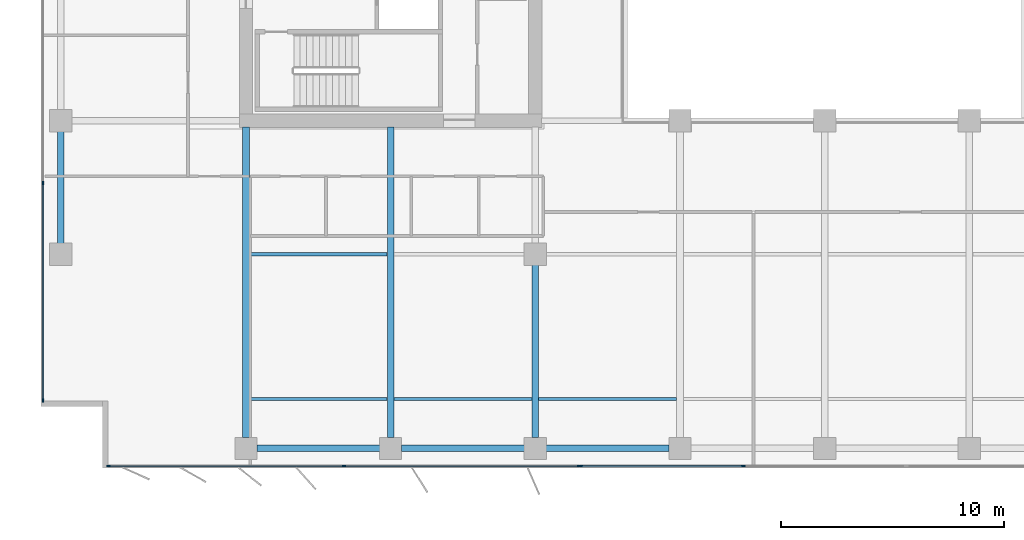
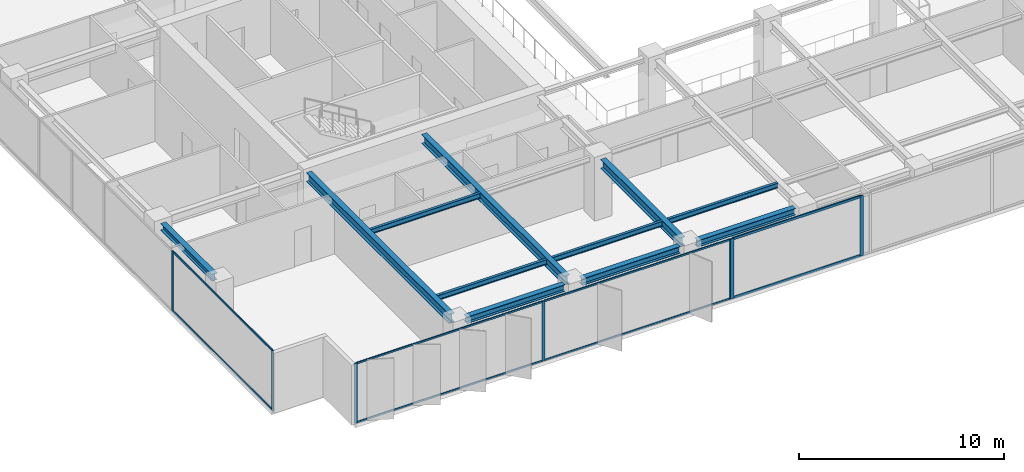
# One storey, part 2 of 22: 15 members, 11 beams, 3 elements without a shape of their own.
"""IFC4 building model written with IfcOpenShell, lengths in metres."""

from ifc_helpers import new_model, si_unit, direction, frame, origin, origin_2d, place, context, subcontext, project, spatial, rectangle, i_section, extrude, material, layer, layer_set, material_profile, profile_set, type_object, element, aggregate, save


model = new_model("IFC4")

# Units and contexts
model_context = context("Model", 3, precision=1e-05, world=origin(), true_north=direction((0.0, 1.0)))
body_context = subcontext(model_context, "Body", "Model", "MODEL_VIEW")
ifc_project = project(units=[si_unit("LENGTHUNIT", "METRE"), si_unit("AREAUNIT", "SQUARE_METRE"), si_unit("VOLUMEUNIT", "CUBIC_METRE"), si_unit("PLANEANGLEUNIT", "RADIAN"), si_unit("MASSUNIT", "GRAM", prefix="KILO")], contexts=[model_context])

# Site, building, storey
site_placement = place(None, origin())
site = spatial("IfcSite", under=ifc_project, at=site_placement, CompositionType="ELEMENT")
building_placement = place(site_placement, origin())
building = spatial("IfcBuilding", under=site, at=building_placement, Name="Putna Gate Headquarters", CompositionType="ELEMENT")
storey_placement = place(building_placement, frame((0.0, 0.0, 155.60009765625)))
storey = spatial("IfcBuildingStorey", under=building, at=storey_placement, Name="L38", CompositionType="ELEMENT", Elevation=155.60009765625)

# Beams
ifc_material_1 = material(Name="Steel S355J2", Category="steel")
ifc_material_profile_1 = material_profile(ifc_material_1, i_section(OverallWidth=0.300048828125, OverallDepth=0.550048828125, WebThickness=0.014892578125, FlangeThickness=0.029052734375, at=origin_2d()), Name="Steel S355J2")
ifc_profile_set_1 = profile_set([ifc_material_profile_1], Name="Steel S355J2")
beam_type_1 = type_object("IfcBeamType", Name="BM-GIRD-Z3-HEB550", PredefinedType="USERDEFINED", material=ifc_profile_set_1)
for number, where, z_axis, x_axis, name in (
    (1, (13.0, 4.76806640625, 3.296875), (0.0, 1.0, 0.0), (-1.0, 0.0, 0.0), "L38 South Primary Girder X13"),
    (2, (19.5, 4.76806640625, 3.296875), (0.0, 1.0, 0.0), (-1.0, 0.0, 0.0), "L38 South Primary Girder X19"),
):
    element("IfcBeam", number, at=place(storey_placement, frame(where, z_axis=z_axis, x_axis=x_axis)), inside=storey, type_object=beam_type_1, Name=name, ObjectType="GIRDER", PredefinedType="USERDEFINED", context=body_context, shape_type="SweptSolid", body=[
        extrude(i_section(OverallWidth=0.300048828125, OverallDepth=0.550048828125, WebThickness=0.014892578125, FlangeThickness=0.029052734375, at=origin_2d()), origin(), (0.0, 0.0, 1.0), 13.947021484375),
    ])
beam_1_placement = place(storey_placement, frame((26.0, 4.76806640625, 3.296875), z_axis=(0.0, 1.0, 0.0), x_axis=(-1.0, 0.0, 0.0)))
element("IfcBeam", 3, at=beam_1_placement, inside=storey, type_object=beam_type_1, Name="L38 South Primary Girder X26-1", ObjectType="GIRDER", PredefinedType="USERDEFINED", context=body_context, shape_type="SweptSolid", body=[
    extrude(i_section(OverallWidth=0.300048828125, OverallDepth=0.550048828125, WebThickness=0.014892578125, FlangeThickness=0.029052734375, at=origin_2d()), origin(), (0.0, 0.0, 1.0), 7.743896484375),
])
ifc_material_profile_2 = material_profile(ifc_material_1, i_section(OverallWidth=0.14990234375, OverallDepth=0.300048828125, WebThickness=0.007080078125, FlangeThickness=0.0107421875, at=origin_2d()), Name="Steel S355J2")
ifc_profile_set_2 = profile_set([ifc_material_profile_2], Name="Steel S355J2")
beam_type_2 = type_object("IfcBeamType", Name="BM-SEC-Z3-IPE300", PredefinedType="JOIST", material=ifc_profile_set_2)
for number, where, z_axis, x_axis, name in (
    (4, (13.154052734375, 6.5, 3.421875), (1.0, 0.0, 0.0), (0.0, 1.0, 0.0), "L38 South Secondary Beam 1"),
    (5, (13.154052734375, 13.0, 3.421875), (1.0, 0.0, 0.0), (0.0, 1.0, 0.0), "L38 South Secondary Beam 1"),
    (6, (19.654052734375, 6.5, 3.421875), (1.0, 0.0, 0.0), (0.0, 1.0, 0.0), "L38 South Secondary Beam 2"),
    (7, (26.154052734375, 6.5, 3.421875), (1.0, 0.0, 0.0), (0.0, 1.0, 0.0), "L38 South Secondary Beam 3"),
):
    element("IfcBeam", number, at=place(storey_placement, frame(where, z_axis=z_axis, x_axis=x_axis)), inside=storey, type_object=beam_type_2, Name=name, PredefinedType="JOIST", context=body_context, shape_type="SweptSolid", body=[
        extrude(i_section(OverallWidth=0.14990234375, OverallDepth=0.300048828125, WebThickness=0.007080078125, FlangeThickness=0.0107421875, at=origin_2d()), origin(), (0.0, 0.0, 1.0), 6.19189453125),
    ])
ifc_material_profile_3 = material_profile(ifc_material_1, i_section(OverallWidth=0.300048828125, OverallDepth=0.39990234375, WebThickness=0.013427734375, FlangeThickness=0.02392578125, at=origin_2d()), Name="Steel S355J2")
ifc_profile_set_3 = profile_set([ifc_material_profile_3], Name="Steel S355J2")
beam_type_3 = type_object("IfcBeamType", Name="BM-SPAN-Z3-HEB400", PredefinedType="SPANDREL", material=ifc_profile_set_3)
for number, where, z_axis, x_axis, name in (
    (8, (13.488037109375, 4.280029296875, 3.371826171875), (1.0, 0.0, 0.0), (0.0, 1.0, 0.0), "L38 S Perimeter Spandrel 1"),
    (9, (19.988037109375, 4.280029296875, 3.371826171875), (1.0, 0.0, 0.0), (0.0, 1.0, 0.0), "L38 S Perimeter Spandrel 2"),
    (10, (26.488037109375, 4.280029296875, 3.371826171875), (1.0, 0.0, 0.0), (0.0, 1.0, 0.0), "L38 S Perimeter Spandrel 3"),
):
    element("IfcBeam", number, at=place(storey_placement, frame(where, z_axis=z_axis, x_axis=x_axis)), inside=storey, type_object=beam_type_3, Name=name, PredefinedType="SPANDREL", context=body_context, shape_type="SweptSolid", body=[
        extrude(i_section(OverallWidth=0.300048828125, OverallDepth=0.39990234375, WebThickness=0.013427734375, FlangeThickness=0.02392578125, at=origin_2d()), origin(), (0.0, 0.0, 1.0), 5.52392578125),
    ])
beam_2_placement = place(storey_placement, frame((4.679931640625, 13.488037109375, 3.371826171875), z_axis=(0.0, 1.0, 0.0), x_axis=(-1.0, 0.0, 0.0)))
element("IfcBeam", 11, at=beam_2_placement, inside=storey, type_object=beam_type_3, Name="L38 W End Spandrel 1", PredefinedType="SPANDREL", context=body_context, shape_type="SweptSolid", body=[
    extrude(i_section(OverallWidth=0.300048828125, OverallDepth=0.39990234375, WebThickness=0.013427734375, FlangeThickness=0.02392578125, at=origin_2d()), origin(), (0.0, 0.0, 1.0), 5.02392578125),
])

# Curtain wall, members
ifc_material_2 = material(Name="Anodised bronze aluminium curtain wall", Category="aluminium")
ifc_layer_1 = layer(ifc_material_2, 0.159912109375)
ifc_layer_set_1 = layer_set([ifc_layer_1], Name="Anodised bronze aluminium curtain wall")
curtain_wall_type_1 = type_object("IfcCurtainWallType", Name="CW-SYS-Z3", PredefinedType="USERDEFINED", material=ifc_layer_set_1)
curtain_wall_1_placement = place(storey_placement, origin())
curtain_wall_1 = element("IfcCurtainWall", 12, at=curtain_wall_1_placement, inside=storey, type_object=curtain_wall_type_1, Name="L38 South West Curtain Wall", ObjectType="STICK CURTAIN WALL", PredefinedType="USERDEFINED")
ifc_material_3 = material(Name="Anodised bronze aluminium EN AW-6060", Category="aluminium")
ifc_material_profile_4 = material_profile(ifc_material_3, rectangle(XDim=0.06494140625, YDim=0.159912109375, at=origin_2d()), Name="Anodised bronze aluminium EN AW-6060")
ifc_profile_set_4 = profile_set([ifc_material_profile_4], Name="Anodised bronze aluminium EN AW-6060")
member_type_1 = type_object("IfcMemberType", Name="MULL-CWM-3", PredefinedType="MULLION", material=ifc_profile_set_4)
member_1_placement = place(storey_placement, frame((6.83251953125, 3.47998046875, 0.0), z_axis=(0.0, 0.0, 1.0), x_axis=(0.0, 1.0, 0.0)))
member_1 = element("IfcMember", 13, at=member_1_placement, type_object=member_type_1, Name="CWS-3 mullion 1", PredefinedType="MULLION", context=body_context, shape_type="SweptSolid", body=[
    extrude(rectangle(XDim=0.06494140625, YDim=0.159912109375, at=origin_2d()), origin(), (0.0, 0.0, 1.0), 3.572021484375),
])
member_2_placement = place(storey_placement, frame((17.39990234375, 3.47998046875, 0.0), z_axis=(0.0, 0.0, 1.0), x_axis=(0.0, 1.0, 0.0)))
member_2 = element("IfcMember", 14, at=member_2_placement, type_object=member_type_1, Name="CWS-3 mullion 2", PredefinedType="MULLION", context=body_context, shape_type="SweptSolid", body=[
    extrude(rectangle(XDim=0.06494140625, YDim=0.159912109375, at=origin_2d()), origin(), (0.0, 0.0, 1.0), 3.572021484375),
])
member_3_placement = place(storey_placement, frame((27.967529296875, 3.47998046875, 0.0), z_axis=(0.0, 0.0, 1.0), x_axis=(0.0, 1.0, 0.0)))
member_3 = element("IfcMember", 15, at=member_3_placement, type_object=member_type_1, Name="CWS-3 mullion 3", PredefinedType="MULLION", context=body_context, shape_type="SweptSolid", body=[
    extrude(rectangle(XDim=0.06494140625, YDim=0.159912109375, at=origin_2d()), origin(), (0.0, 0.0, 1.0), 3.572021484375),
])

curtain_wall_2_placement = place(storey_placement, origin())
curtain_wall_2 = element("IfcCurtainWall", 16, at=curtain_wall_2_placement, inside=storey, type_object=curtain_wall_type_1, Name="L38 West Curtain Wall", ObjectType="STICK CURTAIN WALL", PredefinedType="USERDEFINED")
member_4_placement = place(storey_placement, frame((3.8798828125, 6.4326171875, 0.0), z_axis=(0.0, 0.0, 1.0), x_axis=(-1.0, 0.0, 0.0)))
member_4 = element("IfcMember", 17, at=member_4_placement, type_object=member_type_1, Name="CWS-3 mullion 1", PredefinedType="MULLION", context=body_context, shape_type="SweptSolid", body=[
    extrude(rectangle(XDim=0.06494140625, YDim=0.159912109375, at=origin_2d()), origin(), (0.0, 0.0, 1.0), 3.572021484375),
])
member_5_placement = place(storey_placement, frame((3.8798828125, 16.199951171875, 0.0), z_axis=(0.0, 0.0, 1.0), x_axis=(-1.0, 0.0, 0.0)))
member_5 = element("IfcMember", 18, at=member_5_placement, type_object=member_type_1, Name="CWS-3 mullion 2", PredefinedType="MULLION", context=body_context, shape_type="SweptSolid", body=[
    extrude(rectangle(XDim=0.06494140625, YDim=0.159912109375, at=origin_2d()), origin(), (0.0, 0.0, 1.0), 3.572021484375),
])

ifc_layer_2 = layer(ifc_material_2, 0.179931640625)
ifc_layer_set_2 = layer_set([ifc_layer_2], Name="Anodised bronze aluminium curtain wall")
curtain_wall_type_2 = type_object("IfcCurtainWallType", Name="CW-SYS-ATR", PredefinedType="USERDEFINED", material=ifc_layer_set_2)
curtain_wall_3_placement = place(storey_placement, origin())
curtain_wall_3 = element("IfcCurtainWall", 19, at=curtain_wall_3_placement, inside=storey, type_object=curtain_wall_type_2, Name="L38 South Atrium Clear Glazing", ObjectType="ATRIUM GLAZING", PredefinedType="USERDEFINED")
ifc_material_profile_5 = material_profile(ifc_material_3, rectangle(XDim=0.070068359375, YDim=0.179931640625, at=origin_2d()), Name="Anodised bronze aluminium EN AW-6060")
ifc_profile_set_5 = profile_set([ifc_material_profile_5], Name="Anodised bronze aluminium EN AW-6060")
member_type_2 = type_object("IfcMemberType", Name="MULL-CWM-AT", PredefinedType="MULLION", material=ifc_profile_set_5)
member_6_placement = place(storey_placement, frame((28.034912109375, 3.47998046875, 0.0), z_axis=(0.0, 0.0, 1.0), x_axis=(0.0, 1.0, 0.0)))
member_6 = element("IfcMember", 20, at=member_6_placement, type_object=member_type_2, Name="CWS-AT mullion 1", PredefinedType="MULLION", context=body_context, shape_type="SweptSolid", body=[
    extrude(rectangle(XDim=0.070068359375, YDim=0.179931640625, at=origin_2d()), origin(), (0.0, 0.0, 1.0), 3.572021484375),
])
member_7_placement = place(storey_placement, frame((35.333251953125, 3.47998046875, 0.0), z_axis=(0.0, 0.0, 1.0), x_axis=(0.0, 1.0, 0.0)))
member_7 = element("IfcMember", 21, at=member_7_placement, type_object=member_type_2, Name="CWS-AT mullion 2", PredefinedType="MULLION", context=body_context, shape_type="SweptSolid", body=[
    extrude(rectangle(XDim=0.070068359375, YDim=0.179931640625, at=origin_2d()), origin(), (0.0, 0.0, 1.0), 3.572021484375),
])

# Member
ifc_material_profile_6 = material_profile(ifc_material_3, rectangle(XDim=0.06005859375, YDim=0.10009765625, at=origin_2d()), Name="Anodised bronze aluminium EN AW-6060")
ifc_profile_set_6 = profile_set([ifc_material_profile_6], Name="Anodised bronze aluminium EN AW-6060")
member_type_3 = type_object("IfcMemberType", Name="TRAN-CWT-3", PredefinedType="USERDEFINED", material=ifc_profile_set_6)
member_8_placement = place(storey_placement, frame((6.864990234375, 3.47998046875, 0.02978515625), z_axis=(1.0, 0.0, 0.0), x_axis=(0.0, 1.0, 0.0)))
member_8 = element("IfcMember", 22, at=member_8_placement, type_object=member_type_3, Name="CWS-3 transom 1.1", ObjectType="TRANSOM", PredefinedType="USERDEFINED", context=body_context, shape_type="SweptSolid", body=[
    extrude(rectangle(XDim=0.06005859375, YDim=0.10009765625, at=origin_2d()), origin(), (0.0, 0.0, 1.0), 10.50244140625),
])

member_9_placement = place(storey_placement, frame((6.864990234375, 3.47998046875, 3.5419921875), z_axis=(1.0, 0.0, 0.0), x_axis=(0.0, 1.0, 0.0)))
member_9 = element("IfcMember", 23, at=member_9_placement, type_object=member_type_3, Name="CWS-3 transom 1.2", ObjectType="TRANSOM", PredefinedType="USERDEFINED", context=body_context, shape_type="SweptSolid", body=[
    extrude(rectangle(XDim=0.06005859375, YDim=0.10009765625, at=origin_2d()), origin(), (0.0, 0.0, 1.0), 10.50244140625),
])

member_10_placement = place(storey_placement, frame((17.4326171875, 3.47998046875, 0.02978515625), z_axis=(1.0, 0.0, 0.0), x_axis=(0.0, 1.0, 0.0)))
member_10 = element("IfcMember", 24, at=member_10_placement, type_object=member_type_3, Name="CWS-3 transom 2.1", ObjectType="TRANSOM", PredefinedType="USERDEFINED", context=body_context, shape_type="SweptSolid", body=[
    extrude(rectangle(XDim=0.06005859375, YDim=0.10009765625, at=origin_2d()), origin(), (0.0, 0.0, 1.0), 10.50244140625),
])

member_11_placement = place(storey_placement, frame((17.4326171875, 3.47998046875, 3.5419921875), z_axis=(1.0, 0.0, 0.0), x_axis=(0.0, 1.0, 0.0)))
member_11 = element("IfcMember", 25, at=member_11_placement, type_object=member_type_3, Name="CWS-3 transom 2.2", ObjectType="TRANSOM", PredefinedType="USERDEFINED", context=body_context, shape_type="SweptSolid", body=[
    extrude(rectangle(XDim=0.06005859375, YDim=0.10009765625, at=origin_2d()), origin(), (0.0, 0.0, 1.0), 10.50244140625),
])

aggregate(curtain_wall_1, [member_1, member_2, member_3, member_8, member_9, member_10, member_11])

member_12_placement = place(storey_placement, frame((3.8798828125, 6.465087890625, 0.02978515625), z_axis=(0.0, 1.0, 0.0), x_axis=(-1.0, 0.0, 0.0)))
member_12 = element("IfcMember", 26, at=member_12_placement, type_object=member_type_3, Name="CWS-3 transom 1.1", ObjectType="TRANSOM", PredefinedType="USERDEFINED", context=body_context, shape_type="SweptSolid", body=[
    extrude(rectangle(XDim=0.06005859375, YDim=0.10009765625, at=origin_2d()), origin(), (0.0, 0.0, 1.0), 9.702392578125),
])

member_13_placement = place(storey_placement, frame((3.8798828125, 6.465087890625, 3.5419921875), z_axis=(0.0, 1.0, 0.0), x_axis=(-1.0, 0.0, 0.0)))
member_13 = element("IfcMember", 27, at=member_13_placement, type_object=member_type_3, Name="CWS-3 transom 1.2", ObjectType="TRANSOM", PredefinedType="USERDEFINED", context=body_context, shape_type="SweptSolid", body=[
    extrude(rectangle(XDim=0.06005859375, YDim=0.10009765625, at=origin_2d()), origin(), (0.0, 0.0, 1.0), 9.702392578125),
])

aggregate(curtain_wall_2, [member_4, member_5, member_12, member_13])

ifc_material_profile_7 = material_profile(ifc_material_3, rectangle(XDim=0.070068359375, YDim=0.139892578125, at=origin_2d()), Name="Anodised bronze aluminium EN AW-6060")
ifc_profile_set_7 = profile_set([ifc_material_profile_7], Name="Anodised bronze aluminium EN AW-6060")
member_type_4 = type_object("IfcMemberType", Name="TRAN-CWT-AT", PredefinedType="USERDEFINED", material=ifc_profile_set_7)
member_14_placement = place(storey_placement, frame((28.070068359375, 3.47998046875, 0.034912109375), z_axis=(1.0, 0.0, 0.0), x_axis=(0.0, 1.0, 0.0)))
member_14 = element("IfcMember", 28, at=member_14_placement, type_object=member_type_4, Name="CWS-AT transom 1.1", ObjectType="TRANSOM", PredefinedType="USERDEFINED", context=body_context, shape_type="SweptSolid", body=[
    extrude(rectangle(XDim=0.070068359375, YDim=0.139892578125, at=origin_2d()), origin(), (0.0, 0.0, 1.0), 7.228271484375),
])

member_15_placement = place(storey_placement, frame((28.070068359375, 3.47998046875, 3.536865234375), z_axis=(1.0, 0.0, 0.0), x_axis=(0.0, 1.0, 0.0)))
member_15 = element("IfcMember", 29, at=member_15_placement, type_object=member_type_4, Name="CWS-AT transom 1.2", ObjectType="TRANSOM", PredefinedType="USERDEFINED", context=body_context, shape_type="SweptSolid", body=[
    extrude(rectangle(XDim=0.070068359375, YDim=0.139892578125, at=origin_2d()), origin(), (0.0, 0.0, 1.0), 7.228271484375),
])

aggregate(curtain_wall_3, [member_6, member_7, member_14, member_15])

save(model, "model.ifc")
